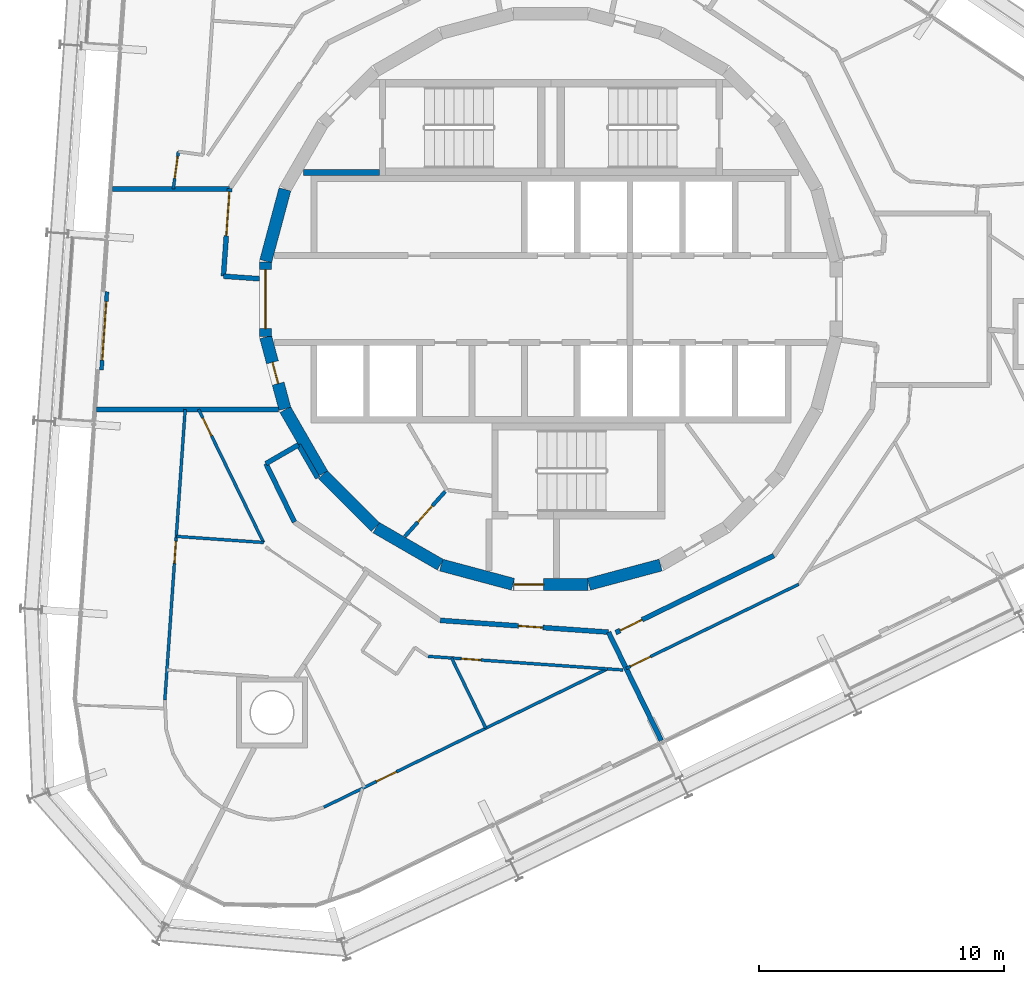
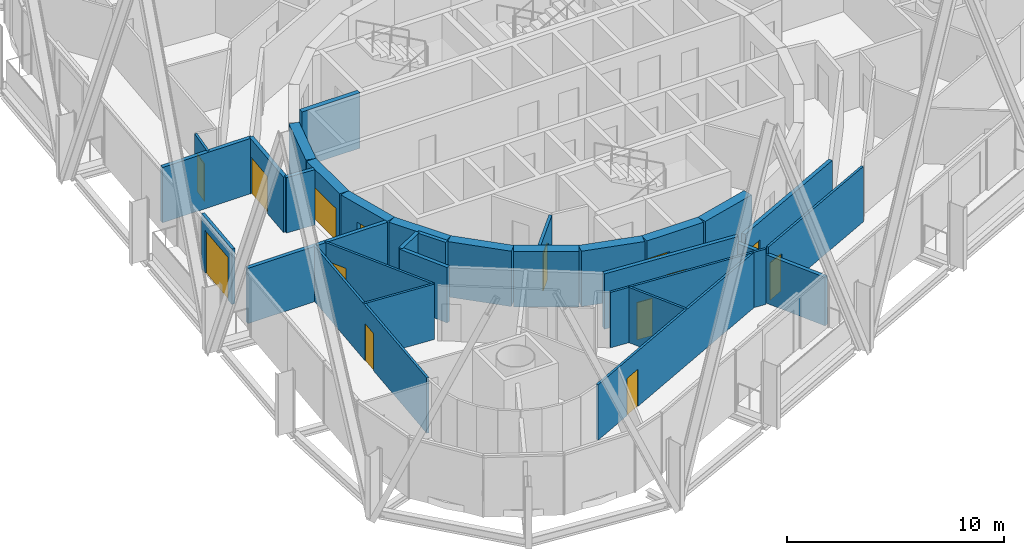
# One storey, part 12 of 18: 31 walls, 14 doors, 14 openings.
"""IFC4 building model written with IfcOpenShell, lengths in metres."""

from ifc_helpers import new_model, si_unit, direction, frame, frame_2d, origin, place, context, subcontext, project, spatial, rectangle, extrude, material, layer, layer_set, type_object, element, fill, save


model = new_model("IFC4")

# Units and contexts
model_context = context("Model", 3, precision=1e-05, world=origin(), true_north=direction((0.0, 1.0)))
body_context = subcontext(model_context, "Body", "Model", "MODEL_VIEW")
ifc_project = project(units=[si_unit("LENGTHUNIT", "METRE"), si_unit("AREAUNIT", "SQUARE_METRE"), si_unit("VOLUMEUNIT", "CUBIC_METRE"), si_unit("PLANEANGLEUNIT", "RADIAN"), si_unit("MASSUNIT", "GRAM", prefix="KILO")], contexts=[model_context])

# Site, building, storey
site_placement = place(None, origin())
site = spatial("IfcSite", under=ifc_project, at=site_placement, CompositionType="ELEMENT")
building_placement = place(site_placement, origin())
building = spatial("IfcBuilding", under=site, at=building_placement, Name="Spindle Arch Residences", CompositionType="ELEMENT")
storey_placement = place(building_placement, frame((0.0, 0.0, 202.39990234375)))
storey = spatial("IfcBuildingStorey", under=building, at=storey_placement, Name="L51", CompositionType="ELEMENT", Elevation=202.39990234375)

# Walls
ifc_material_1 = material(Name="Concrete C50/60", Category="concrete")
ifc_layer_1 = layer(ifc_material_1, 0.5)
ifc_layer_set_1 = layer_set([ifc_layer_1], Name="Core outline wall 500")
wall_type_1 = type_object("IfcWallType", Name="Core outline wall 500", PredefinedType="SHEAR", material=ifc_layer_set_1)
for number, where, z_axis, x_axis, name in (
    (1, (1.5498046875, -11.642822265625, 0.0), (0.0, 0.0, 1.0), (0.965948410781, 0.258734743916, 0.0), "Core outline wall 1"),
    (2, (-10.858154296875, 4.479248046875, 0.0), (0.0, 0.0, 1.0), (-0.258734743916, -0.965948410781, 0.0), "Core outline wall 17"),
):
    element("IfcWall", number, at=place(storey_placement, frame(where, z_axis=z_axis, x_axis=x_axis)), inside=storey, type_object=wall_type_1, Name=name, PredefinedType="SHEAR", context=body_context, shape_type="SweptSolid", body=[
        extrude(rectangle(XDim=3.03271484375, YDim=0.5, at=frame_2d((1.516357421875, 0.0))), origin(), (0.0, 0.0, 1.0), 3.1201171875),
    ])

# Wall, opening, door
wall_1_placement = place(storey_placement, frame((-11.647216796875, 1.516357421875, 0.0), z_axis=(0.0, 0.0, 1.0), x_axis=(0.0, -1.0, 0.0)))
wall_1 = element("IfcWall", 3, at=wall_1_placement, inside=storey, type_object=wall_type_1, Name="Core outline wall 18", PredefinedType="SHEAR", context=body_context, shape_type="SweptSolid", body=[
    extrude(rectangle(XDim=3.03271484375, YDim=0.5, at=frame_2d((1.516357421875, 0.0))), origin(), (0.0, 0.0, 1.0), 3.1201171875),
])
opening_1_placement = place(wall_1_placement, frame((0.31640625, 0.0, 0.0)))
opening_1 = element("IfcOpeningElement", 4, at=opening_1_placement, cuts=wall_1, Name="Opening R5B0-LE01", PredefinedType="OPENING", context=body_context, shape_type="SweptSolid", body=[
    extrude(rectangle(XDim=2.39990234375, YDim=2.10009765625, at=frame_2d((1.199951171875, 1.050048828125))), frame((0.0, 0.260009765625, 0.0), z_axis=(0.0, -1.0, 0.0), x_axis=(1.0, 0.0, 0.0)), (0.0, 0.0, 1.0), 0.52001953125),
])
ifc_material_2 = material(Name="Steel, fire-resisting door", Category="steel")
door_type_1 = type_object("IfcDoorType", Name="Lift lobby entrance door 2400x2100", OperationType="DOUBLE_DOOR_SINGLE_SWING", PredefinedType="DOOR", material=ifc_material_2)
door_1_placement = place(opening_1_placement, origin())
door_1 = element("IfcDoor", 5, at=door_1_placement, inside=storey, type_object=door_type_1, Name="Lift lobby entrance door R5B0-LE01", OperationType="DOUBLE_DOOR_SINGLE_SWING", OverallHeight=2.10009765625, OverallWidth=2.39990234375, PredefinedType="DOOR", context=body_context, shape_type="SweptSolid", body=[
    extrude(rectangle(XDim=2.39990234375, YDim=2.10009765625, at=frame_2d((1.199951171875, 1.050048828125))), frame((0.0, 0.02490234375, 0.0), z_axis=(0.0, -1.0, 0.0), x_axis=(1.0, 0.0, 0.0)), (0.0, 0.0, 1.0), 0.050048828125),
])
fill(opening_1, door_1)

wall_2_placement = place(storey_placement, frame((-11.642822265625, -1.5498046875, 0.0), z_axis=(0.0, 0.0, 1.0), x_axis=(0.258734743916, -0.965948410781, 0.0)))
wall_2 = element("IfcWall", 6, at=wall_2_placement, inside=storey, type_object=wall_type_1, Name="Core outline wall 19", PredefinedType="SHEAR", context=body_context, shape_type="SweptSolid", body=[
    extrude(rectangle(XDim=3.03271484375, YDim=0.5, at=frame_2d((1.516357421875, 0.0))), origin(), (0.0, 0.0, 1.0), 3.1201171875),
])
opening_2_placement = place(wall_2_placement, frame((1.06640625, 0.0, 0.0)))
opening_2 = element("IfcOpeningElement", 7, at=opening_2_placement, cuts=wall_2, Name="Opening R5B0-WD10", PredefinedType="OPENING", context=body_context, shape_type="SweptSolid", body=[
    extrude(rectangle(XDim=0.89990234375, YDim=2.10009765625, at=frame_2d((0.449951171875, 1.050048828125))), frame((0.0, 0.260009765625, 0.0), z_axis=(0.0, -1.0, 0.0), x_axis=(1.0, 0.0, 0.0)), (0.0, 0.0, 1.0), 0.52001953125),
])
ifc_material_3 = material(Name="Steel, fire-resisting door", Category="steel")
door_type_2 = type_object("IfcDoorType", Name="Service room door 900x2100", OperationType="SINGLE_SWING_LEFT", PredefinedType="DOOR", material=ifc_material_3)
door_2_placement = place(opening_2_placement, origin())
door_2 = element("IfcDoor", 8, at=door_2_placement, inside=storey, type_object=door_type_2, Name="Service room door R5B0-WD10", OperationType="SINGLE_SWING_RIGHT", OverallHeight=2.10009765625, OverallWidth=0.89990234375, PredefinedType="DOOR", context=body_context, shape_type="SweptSolid", body=[
    extrude(rectangle(XDim=0.89990234375, YDim=2.10009765625, at=frame_2d((0.449951171875, 1.050048828125))), frame((0.0, 0.02490234375, 0.0), z_axis=(0.0, -1.0, 0.0), x_axis=(1.0, 0.0, 0.0)), (0.0, 0.0, 1.0), 0.050048828125),
])
fill(opening_2, door_2)

# Walls
wall_3_placement = place(storey_placement, frame((-10.84521484375, -4.510498046875, 0.0), z_axis=(0.0, 0.0, 1.0), x_axis=(0.500087131594, -0.865975092491, 0.0)))
element("IfcWall", 9, at=wall_3_placement, inside=storey, type_object=wall_type_1, Name="Core outline wall 20", PredefinedType="SHEAR", context=body_context, shape_type="SweptSolid", body=[
    extrude(rectangle(XDim=3.03271484375, YDim=0.5, at=frame_2d((1.516357421875, 0.0))), origin(), (0.0, 0.0, 1.0), 3.1201171875),
])
wall_4_placement = place(storey_placement, frame((-9.30810546875, -7.163818359375, 0.0), z_axis=(0.0, 0.0, 1.0), x_axis=(0.707106781187, -0.707106781187, 0.0)))
element("IfcWall", 10, at=wall_4_placement, inside=storey, type_object=wall_type_1, Name="Core outline wall 21", PredefinedType="SHEAR", context=body_context, shape_type="SweptSolid", body=[
    extrude(rectangle(XDim=3.032470703125, YDim=0.5, at=frame_2d((1.51611328125, 0.0))), origin(), (0.0, 0.0, 1.0), 3.1201171875),
])
for number, where, z_axis, x_axis, name in (
    (11, (-7.13671875, -9.32861328125, 0.0), (0.0, 0.0, 1.0), (0.865975092491, -0.500087131594, 0.0), "Core outline wall 22"),
    (12, (-4.479248046875, -10.858154296875, 0.0), (0.0, 0.0, 1.0), (0.965948410781, -0.258734743916, 0.0), "Core outline wall 23"),
):
    element("IfcWall", number, at=place(storey_placement, frame(where, z_axis=z_axis, x_axis=x_axis)), inside=storey, type_object=wall_type_1, Name=name, PredefinedType="SHEAR", context=body_context, shape_type="SweptSolid", body=[
        extrude(rectangle(XDim=3.03271484375, YDim=0.5, at=frame_2d((1.516357421875, 0.0))), origin(), (0.0, 0.0, 1.0), 3.1201171875),
    ])

# Wall, opening, door
wall_5_placement = place(storey_placement, frame((-1.516357421875, -11.647216796875, 0.0), z_axis=(0.0, 0.0, 1.0), x_axis=(1.0, 0.0, 0.0)))
wall_5 = element("IfcWall", 13, at=wall_5_placement, inside=storey, type_object=wall_type_1, Name="Core outline wall 24", PredefinedType="SHEAR", context=body_context, shape_type="SweptSolid", body=[
    extrude(rectangle(XDim=3.03271484375, YDim=0.5, at=frame_2d((1.516357421875, 0.0))), origin(), (0.0, 0.0, 1.0), 3.1201171875),
])
opening_3_placement = place(wall_5_placement, frame((0.016357421875, 0.0, 0.0)))
opening_3 = element("IfcOpeningElement", 14, at=opening_3_placement, cuts=wall_5, Name="Opening R5B0-AD03", PredefinedType="OPENING", context=body_context, shape_type="SweptSolid", body=[
    extrude(rectangle(XDim=1.199951171875, YDim=2.10009765625, at=frame_2d((0.60009765625, 1.050048828125))), frame((0.0, 0.260009765625, 0.0), z_axis=(0.0, -1.0, 0.0), x_axis=(1.0, 0.0, 0.0)), (0.0, 0.0, 1.0), 0.52001953125),
])
ifc_material_4 = material(Name="Steel, fire-resisting door", Category="steel")
door_type_3 = type_object("IfcDoorType", Name="Stair airlock door 1200x2100", OperationType="SINGLE_SWING_LEFT", PredefinedType="DOOR", material=ifc_material_4)
door_3_placement = place(opening_3_placement, origin())
door_3 = element("IfcDoor", 15, at=door_3_placement, inside=storey, type_object=door_type_3, Name="Stair airlock door R5B0-AD03", OperationType="SINGLE_SWING_RIGHT", OverallHeight=2.10009765625, OverallWidth=1.199951171875, PredefinedType="DOOR", context=body_context, shape_type="SweptSolid", body=[
    extrude(rectangle(XDim=1.199951171875, YDim=2.10009765625, at=frame_2d((0.60009765625, 1.050048828125))), frame((0.0, 0.02490234375, 0.0), z_axis=(0.0, -1.0, 0.0), x_axis=(1.0, 0.0, 0.0)), (0.0, 0.0, 1.0), 0.050048828125),
])
fill(opening_3, door_3)

# Walls
ifc_material_5 = material(Name="Calcium silicate block, plastered")
ifc_layer_2 = layer(ifc_material_5, 0.199951171875)
ifc_layer_set_2 = layer_set([ifc_layer_2], Name="Corridor wall 200")
wall_type_2 = type_object("IfcWallType", Name="Corridor wall 200", PredefinedType="STANDARD", material=ifc_layer_set_2)
wall_6_placement = place(storey_placement, frame((-10.303466796875, -5.94873046875, 0.0), z_axis=(0.0, 0.0, 1.0), x_axis=(-0.866042588199, -0.499970234539, 0.0)))
element("IfcWall", 16, at=wall_6_placement, inside=storey, type_object=wall_type_2, Name="Corridor wall R5B0-W015", PredefinedType="STANDARD", context=body_context, shape_type="SweptSolid", body=[
    extrude(rectangle(XDim=1.53515625, YDim=0.199951171875, at=frame_2d((0.767578125, 0.0))), origin(), (0.0, 0.0, 1.0), 3.1201171875),
])
wall_7_placement = place(storey_placement, frame((-11.633056640625, -6.71630859375, 0.0), z_axis=(0.0, 0.0, 1.0), x_axis=(0.438322116278, -0.898817958422, 0.0)))
element("IfcWall", 17, at=wall_7_placement, inside=storey, type_object=wall_type_2, Name="Corridor wall R5B0-W016", PredefinedType="STANDARD", context=body_context, shape_type="SweptSolid", body=[
    extrude(rectangle(XDim=2.653564453125, YDim=0.199951171875, at=frame_2d((1.32666015625, 0.0))), origin(), (0.0, 0.0, 1.0), 3.1201171875),
])
wall_8_placement = place(storey_placement, frame((-9.520263671875, -7.30517578125, 0.0), z_axis=(0.0, 0.0, 1.0), x_axis=(-0.500028278809, 0.866009076391, 0.0)))
element("IfcWall", 18, at=wall_8_placement, inside=storey, type_object=wall_type_2, Name="Corridor wall R5B0-W018", PredefinedType="STANDARD", context=body_context, shape_type="SweptSolid", body=[
    extrude(rectangle(XDim=1.56640625, YDim=0.199951171875, at=frame_2d((0.783203125, 0.0))), origin(), (0.0, 0.0, 1.0), 3.1201171875),
])

# Wall, opening, door
wall_9_placement = place(storey_placement, frame((-4.5166015625, -13.116943359375, 0.0), z_axis=(0.0, 0.0, 1.0), x_axis=(0.997564669554, -0.069747616856, 0.0)))
wall_9 = element("IfcWall", 19, at=wall_9_placement, inside=storey, type_object=wall_type_2, Name="Corridor wall R5B0-W019", PredefinedType="STANDARD", context=body_context, shape_type="SweptSolid", body=[
    extrude(rectangle(XDim=6.88525390625, YDim=0.199951171875, at=frame_2d((3.442626953125, 0.0))), origin(), (0.0, 0.0, 1.0), 3.1201171875),
])
opening_4_placement = place(wall_9_placement, frame((3.199951171875, 0.0, 0.0)))
opening_4 = element("IfcOpeningElement", 20, at=opening_4_placement, cuts=wall_9, Name="Opening R5B0-FD05", PredefinedType="OPENING", context=body_context, shape_type="SweptSolid", body=[
    extrude(rectangle(XDim=1.0, YDim=2.10009765625, at=frame_2d((0.5, 1.050048828125))), frame((0.0, 0.10986328125, 0.0), z_axis=(0.0, -1.0, 0.0), x_axis=(1.0, 0.0, 0.0)), (0.0, 0.0, 1.0), 0.219970703125),
])
ifc_material_6 = material(Name="Timber, fire-resisting door set", Category="wood")
door_type_4 = type_object("IfcDoorType", Name="Flat entrance door 1000x2100", OperationType="NOTDEFINED", PredefinedType="DOOR", material=ifc_material_6)
door_4_placement = place(opening_4_placement, origin())
door_4 = element("IfcDoor", 21, at=door_4_placement, inside=storey, type_object=door_type_4, Name="Flat entrance door R5B0-FD05", OperationType="SINGLE_SWING_LEFT", OverallHeight=2.10009765625, OverallWidth=1.0, PredefinedType="DOOR", context=body_context, shape_type="SweptSolid", body=[
    extrude(rectangle(XDim=1.0, YDim=2.10009765625, at=frame_2d((0.5, 1.050048828125))), frame((0.0, 0.02490234375, 0.0), z_axis=(0.0, -1.0, 0.0), x_axis=(1.0, 0.0, 0.0)), (0.0, 0.0, 1.0), 0.050048828125),
])
fill(opening_4, door_4)

wall_10_placement = place(storey_placement, frame((2.64697265625, -13.617919921875, 0.0), z_axis=(0.0, 0.0, 1.0), x_axis=(0.898796543751, 0.438366026218, 0.0)))
wall_10 = element("IfcWall", 22, at=wall_10_placement, inside=storey, type_object=wall_type_2, Name="Corridor wall R5B0-W020", PredefinedType="STANDARD", context=body_context, shape_type="SweptSolid", body=[
    extrude(rectangle(XDim=7.18115234375, YDim=0.199951171875, at=frame_2d((3.590576171875, 0.0))), origin(), (0.0, 0.0, 1.0), 3.1201171875),
])
opening_5_placement = place(wall_10_placement, frame((0.199951171875, 0.0, 0.0)))
opening_5 = element("IfcOpeningElement", 23, at=opening_5_placement, cuts=wall_10, Name="Opening R5B0-FD06", PredefinedType="OPENING", context=body_context, shape_type="SweptSolid", body=[
    extrude(rectangle(XDim=1.0, YDim=2.10009765625, at=frame_2d((0.5, 1.050048828125))), frame((0.0, 0.10986328125, 0.0), z_axis=(0.0, -1.0, 0.0), x_axis=(1.0, 0.0, 0.0)), (0.0, 0.0, 1.0), 0.219970703125),
])
door_5_placement = place(opening_5_placement, origin())
door_5 = element("IfcDoor", 24, at=door_5_placement, inside=storey, type_object=door_type_4, Name="Flat entrance door R5B0-FD06", OperationType="SINGLE_SWING_LEFT", OverallHeight=2.10009765625, OverallWidth=1.0, PredefinedType="DOOR", context=body_context, shape_type="SweptSolid", body=[
    extrude(rectangle(XDim=1.0, YDim=2.10009765625, at=frame_2d((0.5, 1.050048828125))), frame((0.0, 0.02490234375, 0.0), z_axis=(0.0, -1.0, 0.0), x_axis=(1.0, 0.0, 0.0)), (0.0, 0.0, 1.0), 0.050048828125),
])
fill(opening_5, door_5)

ifc_material_7 = material(Name="Plasterboard on steel studs", Category="steel")
ifc_layer_3 = layer(ifc_material_7, 0.1201171875)
ifc_layer_set_3 = layer_set([ifc_layer_3], Name="Flat partition 120")
wall_type_3 = type_object("IfcWallType", Name="Flat partition 120", PredefinedType="PARTITIONING", material=ifc_layer_set_3)
wall_11_placement = place(storey_placement, frame((-15.20947265625, 6.022216796875, 0.0), z_axis=(0.0, 0.0, 1.0), x_axis=(-0.134453604943, -0.990919889859, 0.0)))
wall_11 = element("IfcWall", 25, at=wall_11_placement, inside=storey, type_object=wall_type_3, Name="Flat partition R5B0-W065", PredefinedType="PARTITIONING", context=body_context, shape_type="SweptSolid", body=[
    extrude(rectangle(XDim=1.5361328125, YDim=0.1201171875, at=frame_2d((0.76806640625, 0.0))), origin(), (0.0, 0.0, 1.0), 3.1201171875),
])
opening_6_placement = place(wall_11_placement, frame((0.199951171875, 0.0, 0.0)))
opening_6 = element("IfcOpeningElement", 26, at=opening_6_placement, cuts=wall_11, Name="Opening R5B0-ID11", PredefinedType="OPENING", context=body_context, shape_type="SweptSolid", body=[
    extrude(rectangle(XDim=0.89990234375, YDim=2.10009765625, at=frame_2d((0.449951171875, 1.050048828125))), frame((0.0, 0.070068359375, 0.0), z_axis=(0.0, -1.0, 0.0), x_axis=(1.0, 0.0, 0.0)), (0.0, 0.0, 1.0), 0.14013671875),
])
ifc_material_8 = material(Name="Timber door set", Category="wood")
door_type_5 = type_object("IfcDoorType", Name="Room door 900x2100", OperationType="NOTDEFINED", PredefinedType="DOOR", material=ifc_material_8)
door_6_placement = place(opening_6_placement, origin())
door_6 = element("IfcDoor", 27, at=door_6_placement, inside=storey, type_object=door_type_5, Name="Room door R5B0-ID11", OperationType="SINGLE_SWING_LEFT", OverallHeight=2.10009765625, OverallWidth=0.89990234375, PredefinedType="DOOR", context=body_context, shape_type="SweptSolid", body=[
    extrude(rectangle(XDim=0.89990234375, YDim=2.10009765625, at=frame_2d((0.449951171875, 1.050048828125))), frame((0.0, 0.02490234375, 0.0), z_axis=(0.0, -1.0, 0.0), x_axis=(1.0, 0.0, 0.0)), (0.0, 0.0, 1.0), 0.050048828125),
])
fill(opening_6, door_6)

wall_12_placement = place(storey_placement, frame((-14.383056640625, -4.5, 0.0), z_axis=(0.0, 0.0, 1.0), x_axis=(0.438393414895, -0.898783185077, 0.0)))
wall_12 = element("IfcWall", 28, at=wall_12_placement, inside=storey, type_object=wall_type_3, Name="Flat partition R5B0-W075", PredefinedType="PARTITIONING", context=body_context, shape_type="SweptSolid", body=[
    extrude(rectangle(XDim=6.049072265625, YDim=0.1201171875, at=frame_2d((3.0244140625, 0.0))), origin(), (0.0, 0.0, 1.0), 3.1201171875),
])
opening_7_placement = place(wall_12_placement, frame((0.39990234375, 0.0, 0.0)))
opening_7 = element("IfcOpeningElement", 29, at=opening_7_placement, cuts=wall_12, Name="Opening R5B0-BD04", PredefinedType="OPENING", context=body_context, shape_type="SweptSolid", body=[
    extrude(rectangle(XDim=0.800048828125, YDim=2.10009765625, at=frame_2d((0.39990234375, 1.050048828125))), frame((0.0, 0.070068359375, 0.0), z_axis=(0.0, -1.0, 0.0), x_axis=(1.0, 0.0, 0.0)), (0.0, 0.0, 1.0), 0.14013671875),
])
ifc_material_9 = material(Name="Timber door set", Category="wood")
door_type_6 = type_object("IfcDoorType", Name="Bathroom door 800x2100", OperationType="NOTDEFINED", PredefinedType="DOOR", material=ifc_material_9)
door_7_placement = place(opening_7_placement, origin())
door_7 = element("IfcDoor", 30, at=door_7_placement, inside=storey, type_object=door_type_6, Name="Bathroom door R5B0-BD04", OperationType="SINGLE_SWING_RIGHT", OverallHeight=2.10009765625, OverallWidth=0.800048828125, PredefinedType="DOOR", context=body_context, shape_type="SweptSolid", body=[
    extrude(rectangle(XDim=0.800048828125, YDim=2.10009765625, at=frame_2d((0.39990234375, 1.050048828125))), frame((0.0, 0.02490234375, 0.0), z_axis=(0.0, -1.0, 0.0), x_axis=(1.0, 0.0, 0.0)), (0.0, 0.0, 1.0), 0.050048828125),
])
fill(opening_7, door_7)

wall_13_placement = place(storey_placement, frame((-14.930908203125, -4.5, 0.0), z_axis=(0.0, 0.0, 1.0), x_axis=(-0.069751708439, -0.997564383471, 0.0)))
wall_13 = element("IfcWall", 31, at=wall_13_placement, inside=storey, type_object=wall_type_3, Name="Flat partition R5B0-W077", PredefinedType="PARTITIONING", context=body_context, shape_type="SweptSolid", body=[
    extrude(rectangle(XDim=11.8935546875, YDim=0.1201171875, at=frame_2d((5.94677734375, 0.0))), origin(), (0.0, 0.0, 1.0), 3.1201171875),
])
opening_8_placement = place(wall_13_placement, frame((5.400390625, 0.0, 0.0)))
opening_8 = element("IfcOpeningElement", 32, at=opening_8_placement, cuts=wall_13, Name="Opening R5B0-ID15", PredefinedType="OPENING", context=body_context, shape_type="SweptSolid", body=[
    extrude(rectangle(XDim=0.89990234375, YDim=2.10009765625, at=frame_2d((0.449951171875, 1.050048828125))), frame((0.0, 0.070068359375, 0.0), z_axis=(0.0, -1.0, 0.0), x_axis=(1.0, 0.0, 0.0)), (0.0, 0.0, 1.0), 0.14013671875),
])
door_8_placement = place(opening_8_placement, origin())
door_8 = element("IfcDoor", 33, at=door_8_placement, inside=storey, type_object=door_type_5, Name="Room door R5B0-ID15", OperationType="SINGLE_SWING_RIGHT", OverallHeight=2.10009765625, OverallWidth=0.89990234375, PredefinedType="DOOR", context=body_context, shape_type="SweptSolid", body=[
    extrude(rectangle(XDim=0.89990234375, YDim=2.10009765625, at=frame_2d((0.449951171875, 1.050048828125))), frame((0.0, 0.02490234375, 0.0), z_axis=(0.0, -1.0, 0.0), x_axis=(1.0, 0.0, 0.0)), (0.0, 0.0, 1.0), 0.050048828125),
])
fill(opening_8, door_8)

# Wall
wall_14_placement = place(storey_placement, frame((-15.293701171875, -9.687744140625, 0.0), z_axis=(0.0, 0.0, 1.0), x_axis=(0.997565819809, -0.069731163391, 0.0)))
element("IfcWall", 34, at=wall_14_placement, inside=storey, type_object=wall_type_3, Name="Flat partition R5B0-W078", PredefinedType="PARTITIONING", context=body_context, shape_type="SweptSolid", body=[
    extrude(rectangle(XDim=3.5712890625, YDim=0.1201171875, at=frame_2d((1.78564453125, 0.0))), origin(), (0.0, 0.0, 1.0), 3.1201171875),
])

# Wall, opening, door
wall_15_placement = place(storey_placement, frame((-5.022216796875, -14.585205078125, 0.0), z_axis=(0.0, 0.0, 1.0), x_axis=(0.997564196041, -0.06975438895, 0.0)))
wall_15 = element("IfcWall", 35, at=wall_15_placement, inside=storey, type_object=wall_type_3, Name="Flat partition R5B0-W090", PredefinedType="PARTITIONING", context=body_context, shape_type="SweptSolid", body=[
    extrude(rectangle(XDim=7.346435546875, YDim=0.1201171875, at=frame_2d((3.67333984375, 0.0))), origin(), (0.0, 0.0, 1.0), 3.1201171875),
])
opening_9_placement = place(wall_15_placement, frame((1.370361328125, 0.0, 0.0)))
opening_9 = element("IfcOpeningElement", 36, at=opening_9_placement, cuts=wall_15, Name="Opening R5B0-BD05", PredefinedType="OPENING", context=body_context, shape_type="SweptSolid", body=[
    extrude(rectangle(XDim=0.800048828125, YDim=2.10009765625, at=frame_2d((0.39990234375, 1.050048828125))), frame((0.0, 0.070068359375, 0.0), z_axis=(0.0, -1.0, 0.0), x_axis=(1.0, 0.0, 0.0)), (0.0, 0.0, 1.0), 0.14013671875),
])
door_9_placement = place(opening_9_placement, origin())
door_9 = element("IfcDoor", 37, at=door_9_placement, inside=storey, type_object=door_type_6, Name="Bathroom door R5B0-BD05", OperationType="SINGLE_SWING_LEFT", OverallHeight=2.10009765625, OverallWidth=0.800048828125, PredefinedType="DOOR", context=body_context, shape_type="SweptSolid", body=[
    extrude(rectangle(XDim=0.800048828125, YDim=2.10009765625, at=frame_2d((0.39990234375, 1.050048828125))), frame((0.0, 0.02490234375, 0.0), z_axis=(0.0, -1.0, 0.0), x_axis=(1.0, 0.0, 0.0)), (0.0, 0.0, 1.0), 0.050048828125),
])
fill(opening_9, door_9)

# Wall
wall_16_placement = place(storey_placement, frame((2.306396484375, -15.09765625, 0.0), z_axis=(0.0, 0.0, 1.0), x_axis=(0.99757571817, -0.069589413839, 0.0)))
element("IfcWall", 38, at=wall_16_placement, inside=storey, type_object=wall_type_3, Name="Flat partition R5B0-W091", PredefinedType="PARTITIONING", context=body_context, shape_type="SweptSolid", body=[
    extrude(rectangle(XDim=0.638427734375, YDim=0.1201171875, at=frame_2d((0.3193359375, 0.0))), origin(), (0.0, 0.0, 1.0), 3.1201171875),
])

# Wall, opening, door
wall_17_placement = place(storey_placement, frame((-9.268798828125, -20.7431640625, 0.0), z_axis=(0.0, 0.0, 1.0), x_axis=(0.898796865831, 0.438365365846, 0.0)))
wall_17 = element("IfcWall", 39, at=wall_17_placement, inside=storey, type_object=wall_type_3, Name="Flat partition R5B0-W096", PredefinedType="PARTITIONING", context=body_context, shape_type="SweptSolid", body=[
    extrude(rectangle(XDim=12.878662109375, YDim=0.1201171875, at=frame_2d((6.439453125, 0.0))), origin(), (0.0, 0.0, 1.0), 3.1201171875),
])
opening_10_placement = place(wall_17_placement, frame((2.39453125, 0.0, 0.0)))
opening_10 = element("IfcOpeningElement", 40, at=opening_10_placement, cuts=wall_17, Name="Opening R5B0-ID20", PredefinedType="OPENING", context=body_context, shape_type="SweptSolid", body=[
    extrude(rectangle(XDim=0.89990234375, YDim=2.10009765625, at=frame_2d((0.449951171875, 1.050048828125))), frame((0.0, 0.070068359375, 0.0), z_axis=(0.0, -1.0, 0.0), x_axis=(1.0, 0.0, 0.0)), (0.0, 0.0, 1.0), 0.14013671875),
])
door_10_placement = place(opening_10_placement, origin())
door_10 = element("IfcDoor", 41, at=door_10_placement, inside=storey, type_object=door_type_5, Name="Room door R5B0-ID20", OperationType="SINGLE_SWING_LEFT", OverallHeight=2.10009765625, OverallWidth=0.89990234375, PredefinedType="DOOR", context=body_context, shape_type="SweptSolid", body=[
    extrude(rectangle(XDim=0.89990234375, YDim=2.10009765625, at=frame_2d((0.449951171875, 1.050048828125))), frame((0.0, 0.02490234375, 0.0), z_axis=(0.0, -1.0, 0.0), x_axis=(1.0, 0.0, 0.0)), (0.0, 0.0, 1.0), 0.050048828125),
])
fill(opening_10, door_10)

# Wall
wall_18_placement = place(storey_placement, frame((-2.65673828125, -17.518310546875, 0.0), z_axis=(0.0, 0.0, 1.0), x_axis=(-0.438339139088, 0.898809656792, 0.0)))
element("IfcWall", 42, at=wall_18_placement, inside=storey, type_object=wall_type_3, Name="Flat partition R5B0-W099", PredefinedType="PARTITIONING", context=body_context, shape_type="SweptSolid", body=[
    extrude(rectangle(XDim=3.18798828125, YDim=0.1201171875, at=frame_2d((1.593994140625, 0.0))), origin(), (0.0, 0.0, 1.0), 3.1201171875),
])

# Wall, opening, door
wall_19_placement = place(storey_placement, frame((3.07421875, -15.078369140625, 0.0), z_axis=(0.0, 0.0, 1.0), x_axis=(0.898793586225, 0.43837209008, 0.0)))
wall_19 = element("IfcWall", 43, at=wall_19_placement, inside=storey, type_object=wall_type_3, Name="Flat partition R5B0-W100", PredefinedType="PARTITIONING", context=body_context, shape_type="SweptSolid", body=[
    extrude(rectangle(XDim=7.83935546875, YDim=0.1201171875, at=frame_2d((3.919677734375, 0.0))), origin(), (0.0, 0.0, 1.0), 3.1201171875),
])
opening_11_placement = place(wall_19_placement, frame((0.199951171875, 0.0, 0.0)))
opening_11 = element("IfcOpeningElement", 44, at=opening_11_placement, cuts=wall_19, Name="Opening R5B0-ID22", PredefinedType="OPENING", context=body_context, shape_type="SweptSolid", body=[
    extrude(rectangle(XDim=0.89990234375, YDim=2.10009765625, at=frame_2d((0.449951171875, 1.050048828125))), frame((0.0, 0.070068359375, 0.0), z_axis=(0.0, -1.0, 0.0), x_axis=(1.0, 0.0, 0.0)), (0.0, 0.0, 1.0), 0.14013671875),
])
door_11_placement = place(opening_11_placement, origin())
door_11 = element("IfcDoor", 45, at=door_11_placement, inside=storey, type_object=door_type_5, Name="Room door R5B0-ID22", OperationType="SINGLE_SWING_LEFT", OverallHeight=2.10009765625, OverallWidth=0.89990234375, PredefinedType="DOOR", context=body_context, shape_type="SweptSolid", body=[
    extrude(rectangle(XDim=0.89990234375, YDim=2.10009765625, at=frame_2d((0.449951171875, 1.050048828125))), frame((0.0, 0.02490234375, 0.0), z_axis=(0.0, -1.0, 0.0), x_axis=(1.0, 0.0, 0.0)), (0.0, 0.0, 1.0), 0.050048828125),
])
fill(opening_11, door_11)

# Wall
ifc_material_10 = material(Name="Calcium silicate block, plastered")
ifc_layer_4 = layer(ifc_material_10, 0.199951171875)
ifc_layer_set_4 = layer_set([ifc_layer_4], Name="Flat party wall 200 under beam 2730")
wall_type_4 = type_object("IfcWallType", Name="Flat party wall 200 under beam 2730", PredefinedType="STANDARD", material=ifc_layer_set_4)
wall_20_placement = place(storey_placement, frame((4.512451171875, -18.027099609375, 0.0), z_axis=(0.0, 0.0, 1.0), x_axis=(-0.438374835386, 0.898792247241, 0.0)))
element("IfcWall", 46, at=wall_20_placement, inside=storey, type_object=wall_type_4, Name="Flat party wall R5B0-W036", PredefinedType="STANDARD", context=body_context, shape_type="SweptSolid", body=[
    extrude(rectangle(XDim=4.9287109375, YDim=0.199951171875, at=frame_2d((2.46435546875, 0.0))), origin(), (0.0, 0.0, 1.0), 2.72998046875),
])

# Wall, opening, door
ifc_material_11 = material(Name="Non-combustible mineral wool insulated aluminium faced external wall (K0)", Category="aluminium")
ifc_layer_5 = layer(ifc_material_11, 0.159912109375)
ifc_layer_set_5 = layer_set([ifc_layer_5], Name="Insulated external wall panel 160")
wall_type_5 = type_object("IfcWallType", Name="Insulated external wall panel 160", PredefinedType="STANDARD", material=ifc_layer_set_5)
wall_21_placement = place(storey_placement, frame((-18.1240234375, 0.300537109375, 0.0), z_axis=(0.0, 0.0, 1.0), x_axis=(-0.069728915792, -0.997565976917, 0.0)))
wall_21 = element("IfcWall", 47, at=wall_21_placement, inside=storey, type_object=wall_type_5, Name="External wall L51 bay 15", PredefinedType="STANDARD", context=body_context, shape_type="SweptSolid", body=[
    extrude(rectangle(XDim=3.2001953125, YDim=0.159912109375, at=frame_2d((1.60009765625, 0.0))), origin(), (0.0, 0.0, 1.0), 3.1201171875),
])
opening_12_placement = place(wall_21_placement, frame((0.39990234375, 0.0, 0.0)))
opening_12 = element("IfcOpeningElement", 48, at=opening_12_placement, cuts=wall_21, Name="Opening BD15", PredefinedType="OPENING", context=body_context, shape_type="SweptSolid", body=[
    extrude(rectangle(XDim=2.39990234375, YDim=2.39990234375, at=frame_2d((1.199951171875, 1.199951171875))), frame((0.0, 0.08984375, 0.0), z_axis=(0.0, -1.0, 0.0), x_axis=(1.0, 0.0, 0.0)), (0.0, 0.0, 1.0), 0.179931640625),
])
ifc_material_12 = material(Name="Bronze aluminium frame, tinted double glazing", Category="aluminium")
door_type_7 = type_object("IfcDoorType", Name="Sliding glazed balcony door 2400x2400", OperationType="DOUBLE_DOOR_SLIDING", PredefinedType="DOOR", material=ifc_material_12)
door_12_placement = place(opening_12_placement, origin())
door_12 = element("IfcDoor", 49, at=door_12_placement, inside=storey, type_object=door_type_7, Name="Balcony door BD15", OperationType="DOUBLE_DOOR_SLIDING", OverallHeight=2.39990234375, OverallWidth=2.39990234375, PredefinedType="DOOR", context=body_context, shape_type="SweptSolid", body=[
    extrude(rectangle(XDim=2.39990234375, YDim=2.39990234375, at=frame_2d((1.199951171875, 1.199951171875))), frame((0.0, 0.02490234375, 0.0), z_axis=(0.0, -1.0, 0.0), x_axis=(1.0, 0.0, 0.0)), (0.0, 0.0, 1.0), 0.050048828125),
])
fill(opening_12, door_12)

ifc_material_13 = material(Name="Calcium silicate block, plastered")
ifc_layer_6 = layer(ifc_material_13, 0.199951171875)
ifc_layer_set_6 = layer_set([ifc_layer_6], Name="Lift lobby bay wall 200")
wall_type_6 = type_object("IfcWallType", Name="Lift lobby bay wall 200", PredefinedType="STANDARD", material=ifc_layer_set_6)
wall_22_placement = place(storey_placement, frame((-13.116943359375, 4.5166015625, 0.0), z_axis=(0.0, 0.0, 1.0), x_axis=(-0.069763493417, -0.997563559372, 0.0)))
wall_22 = element("IfcWall", 50, at=wall_22_placement, inside=storey, type_object=wall_type_6, Name="Lift lobby bay wall R5B0-W008", PredefinedType="STANDARD", context=body_context, shape_type="SweptSolid", body=[
    extrude(rectangle(XDim=3.590576171875, YDim=0.199951171875, at=frame_2d((1.79541015625, 0.0))), origin(), (0.0, 0.0, 1.0), 3.1201171875),
])
opening_13_placement = place(wall_22_placement, frame((0.131591796875, 0.0, 0.0)))
opening_13 = element("IfcOpeningElement", 51, at=opening_13_placement, cuts=wall_22, Name="Opening R5B0-LB01", PredefinedType="OPENING", context=body_context, shape_type="SweptSolid", body=[
    extrude(rectangle(XDim=1.800048828125, YDim=2.10009765625, at=frame_2d((0.89990234375, 1.050048828125))), frame((0.0, 0.10986328125, 0.0), z_axis=(0.0, -1.0, 0.0), x_axis=(1.0, 0.0, 0.0)), (0.0, 0.0, 1.0), 0.219970703125),
])
ifc_material_14 = material(Name="Steel, fire-resisting door", Category="steel")
door_type_8 = type_object("IfcDoorType", Name="Lift lobby bay door 1800x2100", OperationType="NOTDEFINED", PredefinedType="DOOR", material=ifc_material_14)
door_13_placement = place(opening_13_placement, origin())
door_13 = element("IfcDoor", 52, at=door_13_placement, inside=storey, type_object=door_type_8, Name="Lift lobby bay door R5B0-LB01", OperationType="DOUBLE_DOOR_SINGLE_SWING", OverallHeight=2.10009765625, OverallWidth=1.800048828125, PredefinedType="DOOR", context=body_context, shape_type="SweptSolid", body=[
    extrude(rectangle(XDim=1.800048828125, YDim=2.10009765625, at=frame_2d((0.89990234375, 1.050048828125))), frame((0.0, 0.02490234375, 0.0), z_axis=(0.0, -1.0, 0.0), x_axis=(1.0, 0.0, 0.0)), (0.0, 0.0, 1.0), 0.050048828125),
])
fill(opening_13, door_13)

# Walls
wall_23_placement = place(storey_placement, frame((-13.367431640625, 0.934814453125, 0.0), z_axis=(0.0, 0.0, 1.0), x_axis=(0.997553656289, -0.069904955655, 0.0)))
element("IfcWall", 53, at=wall_23_placement, inside=storey, type_object=wall_type_6, Name="Lift lobby bay wall R5B0-W009", PredefinedType="STANDARD", context=body_context, shape_type="SweptSolid", body=[
    extrude(rectangle(XDim=1.473876953125, YDim=0.199951171875, at=frame_2d((0.73681640625, 0.0))), origin(), (0.0, 0.0, 1.0), 3.1201171875),
])
wall_24_placement = place(storey_placement, frame((-13.1181640625, 4.5, 0.0), z_axis=(0.0, 0.0, 1.0), x_axis=(-1.0, 0.0, 0.0)))
element("IfcWall", 54, at=wall_24_placement, inside=storey, type_object=wall_type_6, Name="Lift lobby bay wall R5B0-W022", PredefinedType="STANDARD", context=body_context, shape_type="SweptSolid", body=[
    extrude(rectangle(XDim=4.78173828125, YDim=0.199951171875, at=frame_2d((2.390869140625, 0.0))), origin(), (0.0, 0.0, 1.0), 3.1201171875),
])
wall_25_placement = place(storey_placement, frame((-18.5498046875, -4.5, 0.0), z_axis=(0.0, 0.0, 1.0), x_axis=(1.0, 0.0, 0.0)))
element("IfcWall", 55, at=wall_25_placement, inside=storey, type_object=wall_type_6, Name="Lift lobby bay wall R5B0-W023", PredefinedType="STANDARD", context=body_context, shape_type="SweptSolid", body=[
    extrude(rectangle(XDim=7.4384765625, YDim=0.199951171875, at=frame_2d((3.71923828125, 0.0))), origin(), (0.0, 0.0, 1.0), 3.1201171875),
])

# Wall, opening, door
ifc_material_15 = material(Name="Concrete C25/30", Category="concrete")
ifc_layer_7 = layer(ifc_material_15, 0.14990234375)
ifc_layer_set_7 = layer_set([ifc_layer_7], Name="Service room partition 150")
wall_type_7 = type_object("IfcWallType", Name="Service room partition 150", PredefinedType="PARTITIONING", material=ifc_layer_set_7)
wall_26_placement = place(storey_placement, frame((-4.310791015625, -7.85107421875, 0.0), z_axis=(0.0, 0.0, 1.0), x_axis=(-0.667869133096, -0.744278725383, 0.0)))
wall_26 = element("IfcWall", 56, at=wall_26_placement, inside=storey, type_object=wall_type_7, Name="Core service room partition", PredefinedType="PARTITIONING", context=body_context, shape_type="SweptSolid", body=[
    extrude(rectangle(XDim=2.476318359375, YDim=0.14990234375, at=frame_2d((1.23828125, 0.0))), origin(), (0.0, 0.0, 1.0), 3.1201171875),
])
opening_14_placement = place(wall_26_placement, frame((0.7880859375, 0.0, 0.0)))
opening_14 = element("IfcOpeningElement", 57, at=opening_14_placement, cuts=wall_26, Name="Opening R5B0-WD06", PredefinedType="OPENING", context=body_context, shape_type="SweptSolid", body=[
    extrude(rectangle(XDim=0.89990234375, YDim=2.10009765625, at=frame_2d((0.449951171875, 1.050048828125))), frame((0.0, 0.0849609375, 0.0), z_axis=(0.0, -1.0, 0.0), x_axis=(1.0, 0.0, 0.0)), (0.0, 0.0, 1.0), 0.169921875),
])
door_14_placement = place(opening_14_placement, origin())
door_14 = element("IfcDoor", 58, at=door_14_placement, inside=storey, type_object=door_type_2, Name="Service room door R5B0-WD06", OperationType="SINGLE_SWING_RIGHT", OverallHeight=2.10009765625, OverallWidth=0.89990234375, PredefinedType="DOOR", context=body_context, shape_type="SweptSolid", body=[
    extrude(rectangle(XDim=0.89990234375, YDim=2.10009765625, at=frame_2d((0.449951171875, 1.050048828125))), frame((0.0, 0.02490234375, 0.0), z_axis=(0.0, -1.0, 0.0), x_axis=(1.0, 0.0, 0.0)), (0.0, 0.0, 1.0), 0.050048828125),
])
fill(opening_14, door_14)

# Wall
ifc_material_16 = material(Name="Concrete C40/50", Category="concrete")
ifc_layer_8 = layer(ifc_material_16, 0.25)
ifc_layer_set_8 = layer_set([ifc_layer_8], Name="Stair airlock wall 250")
wall_type_8 = type_object("IfcWallType", Name="Stair airlock wall 250", PredefinedType="SHEAR", material=ifc_layer_set_8)
wall_27_placement = place(storey_placement, frame((-7.0, 5.175048828125, 0.0), z_axis=(0.0, 0.0, 1.0), x_axis=(-1.0, 0.0, 0.0)))
element("IfcWall", 59, at=wall_27_placement, inside=storey, type_object=wall_type_8, Name="Stair ST-2 airlock wall S", PredefinedType="SHEAR", context=body_context, shape_type="SweptSolid", body=[
    extrude(rectangle(XDim=3.10009765625, YDim=0.25, at=frame_2d((1.550048828125, 0.0))), origin(), (0.0, 0.0, 1.0), 3.1201171875),
])

save(model, "model.ifc")
